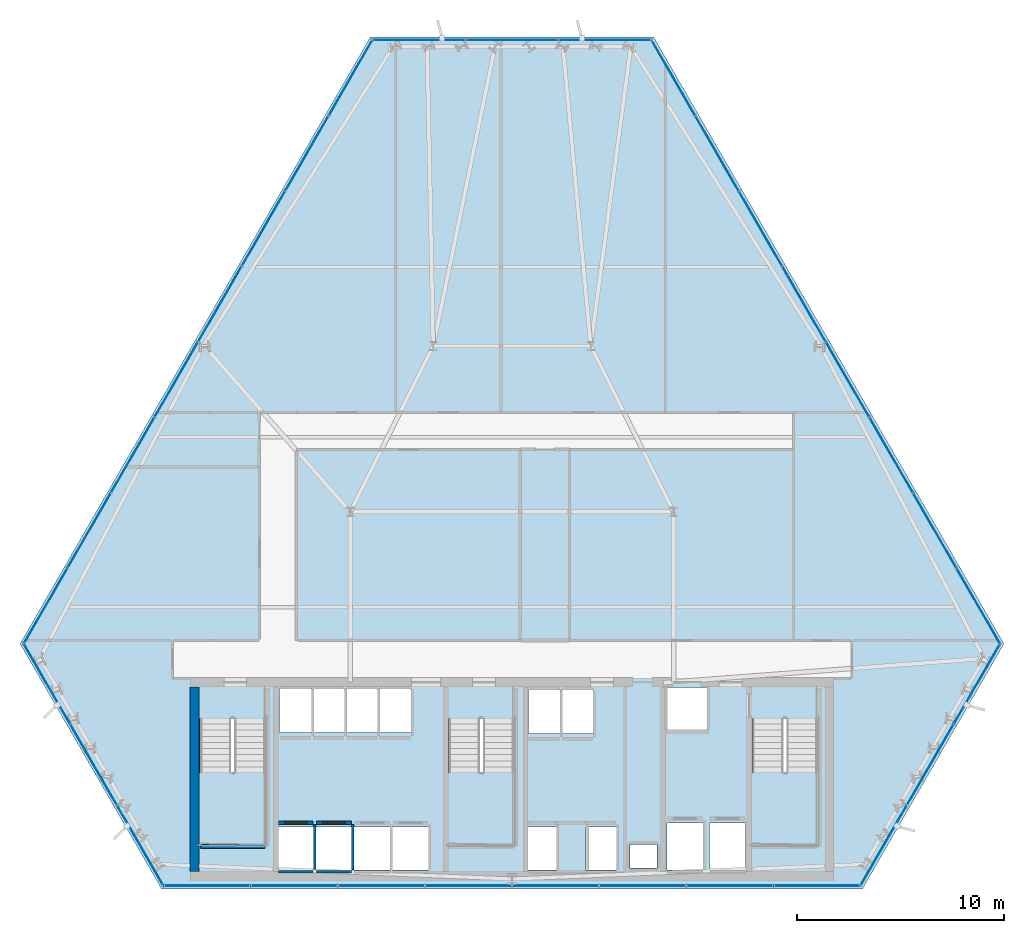
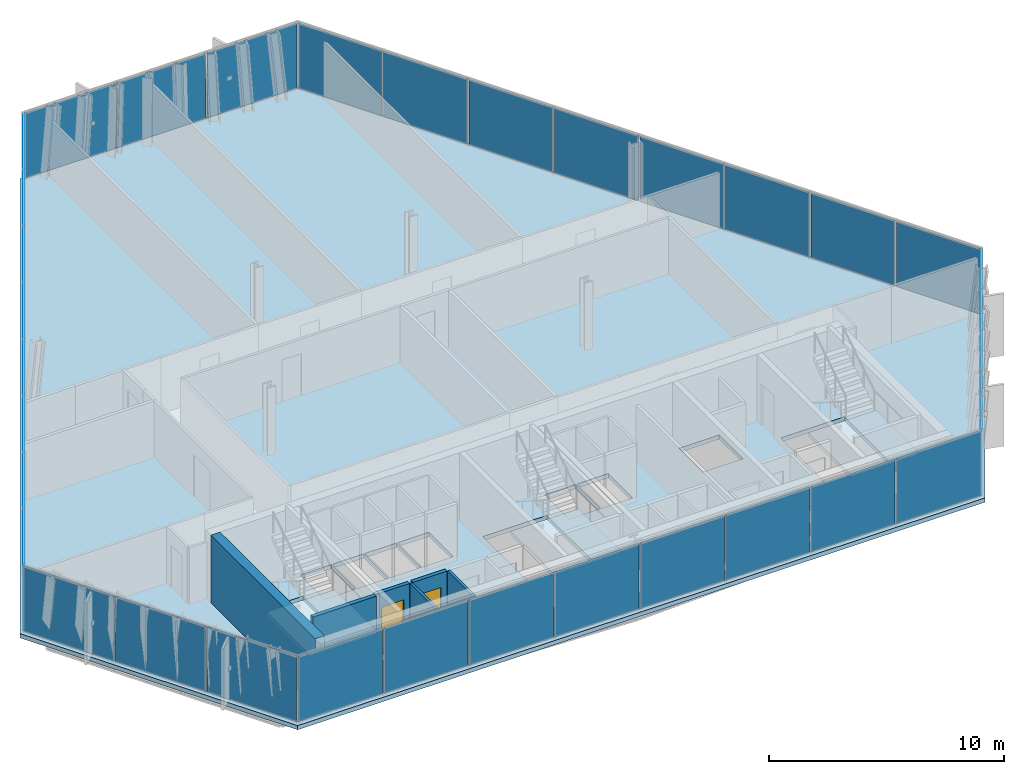
# One storey, part 24 of 31: 33 plates, 8 walls, 4 slabs, 2 doors, 2 openings, 9 elements without a shape of their own.
"""IFC4 building model written with IfcOpenShell, lengths in metres."""

from ifc_helpers import new_model, si_unit, direction, frame, frame_2d, origin, origin_2d, place, context, subcontext, project, spatial, polyline, rectangle, outline, extrude, material, layer, layer_set, type_object, element, fill, aggregate, save


model = new_model("IFC4")

# Units and contexts
model_context = context("Model", 3, precision=1e-05, world=origin(), true_north=direction((0.0, 1.0)))
body_context = subcontext(model_context, "Body", "Model", "MODEL_VIEW")
ifc_project = project(units=[si_unit("LENGTHUNIT", "METRE"), si_unit("AREAUNIT", "SQUARE_METRE"), si_unit("VOLUMEUNIT", "CUBIC_METRE"), si_unit("PLANEANGLEUNIT", "RADIAN"), si_unit("MASSUNIT", "GRAM", prefix="KILO")], contexts=[model_context])

# Site, building, storey
site_placement = place(None, origin())
site = spatial("IfcSite", under=ifc_project, at=site_placement, CompositionType="ELEMENT")
building_placement = place(site_placement, origin())
building = spatial("IfcBuilding", under=site, at=building_placement, Name="Ndaravel Arena Tower", CompositionType="ELEMENT")
storey_placement = place(building_placement, frame((0.0, 0.0, 108.199951171875)))
storey = spatial("IfcBuildingStorey", under=building, at=storey_placement, Name="L25", CompositionType="ELEMENT", Elevation=108.199951171875)

# Curtain wall, plate
ifc_material_1 = material(Name="Aluminium", Category="aluminium")
ifc_layer_1 = layer(ifc_material_1, 0.179931640625)
ifc_layer_set_1 = layer_set([ifc_layer_1], Name="Aluminium")
curtain_wall_type_1 = type_object("IfcCurtainWallType", Name="CW-SYS-01", PredefinedType="NOTDEFINED", material=ifc_layer_set_1)
curtain_wall_1_placement = place(storey_placement, origin())
curtain_wall_1 = element("IfcCurtainWall", 1, at=curtain_wall_1_placement, inside=storey, type_object=curtain_wall_type_1, Name="L25 Faceted Crystal Curtain Wall CW-L25-E02", PredefinedType="NOTDEFINED")
ifc_material_2 = material(Name="Glazing", Category="glass")
ifc_layer_2 = layer(ifc_material_2, 0.035888671875)
ifc_layer_set_2 = layer_set([ifc_layer_2], Name="Glazing")
plate_type_1 = type_object("IfcPlateType", Name="PLT-CW-OPVENT", PredefinedType="CURTAIN_PANEL", material=ifc_layer_set_2)
plate_1_placement = place(storey_placement, frame((62.1875, 10.996337890625, 0.06005859375), z_axis=(0.0, 0.0, 1.0), x_axis=(0.5, 0.866025403784, 0.0)))
plate_1 = element("IfcPlate", 2, at=plate_1_placement, type_object=plate_type_1, Name="CW-L25-E02 Operable Vent Sash Panel 02", PredefinedType="CURTAIN_PANEL", context=body_context, shape_type="SweptSolid", body=[
    extrude(rectangle(XDim=4.412841796875, YDim=0.035888671875, at=origin_2d()), origin(), (0.0, 0.0, 1.0), 3.39990234375),
])

curtain_wall_2_placement = place(storey_placement, origin())
curtain_wall_2 = element("IfcCurtainWall", 3, at=curtain_wall_2_placement, inside=storey, type_object=curtain_wall_type_1, Name="L25 Faceted Crystal Curtain Wall CW-L25-E04", PredefinedType="NOTDEFINED")
plate_2_placement = place(storey_placement, frame((42.0, 45.962646484375, 0.06005859375), z_axis=(0.0, 0.0, 1.0), x_axis=(-1.0, 0.0, 0.0)))
plate_2 = element("IfcPlate", 4, at=plate_2_placement, type_object=plate_type_1, Name="CW-L25-E04 Operable Vent Sash Panel 02", PredefinedType="CURTAIN_PANEL", context=body_context, shape_type="SweptSolid", body=[
    extrude(rectangle(XDim=4.412841796875, YDim=0.035888671875, at=origin_2d()), origin(), (0.0, 0.0, 1.0), 3.39990234375),
])

ifc_material_3 = material(Name="Aluminium", Category="aluminium")
ifc_layer_3 = layer(ifc_material_3, 0.179931640625)
ifc_layer_set_3 = layer_set([ifc_layer_3], Name="Aluminium")
curtain_wall_type_2 = type_object("IfcCurtainWallType", Name="CW-SYS-02", PredefinedType="NOTDEFINED", material=ifc_layer_set_3)
curtain_wall_3_placement = place(storey_placement, origin())
curtain_wall_3 = element("IfcCurtainWall", 5, at=curtain_wall_3_placement, inside=storey, type_object=curtain_wall_type_2, Name="L25 Faceted Crystal Curtain Wall CW-L25-E06", PredefinedType="NOTDEFINED")
plate_3_placement = place(storey_placement, frame((21.812255859375, 10.996337890625, 0.06005859375), z_axis=(0.0, 0.0, 1.0), x_axis=(0.5, -0.866025403784, 0.0)))
plate_3 = element("IfcPlate", 6, at=plate_3_placement, type_object=plate_type_1, Name="CW-L25-E06 Operable Vent Sash Panel 02", PredefinedType="CURTAIN_PANEL", context=body_context, shape_type="SweptSolid", body=[
    extrude(rectangle(XDim=4.412841796875, YDim=0.035888671875, at=origin_2d()), origin(), (0.0, 0.0, 1.0), 3.39990234375),
])

# Plate
ifc_material_4 = material(Name="Glazing", Category="glass")
ifc_layer_4 = layer(ifc_material_4, 0.031982421875)
ifc_layer_set_4 = layer_set([ifc_layer_4], Name="Glazing")
plate_type_2 = type_object("IfcPlateType", Name="PLT-GLZ-FRIT35", PredefinedType="CURTAIN_PANEL", material=ifc_layer_set_4)
plate_4_placement = place(storey_placement, frame((59.941162109375, 7.10546875, 0.06005859375), z_axis=(0.0, 0.0, 1.0), x_axis=(0.5, 0.866025403784, 0.0)))
plate_4 = element("IfcPlate", 7, at=plate_4_placement, type_object=plate_type_2, Name="CW-L25-E02 Vision Glass Panel 01", PredefinedType="CURTAIN_PANEL", context=body_context, shape_type="SweptSolid", body=[
    extrude(rectangle(XDim=4.412841796875, YDim=0.035888671875, at=origin_2d()), origin(), (0.0, 0.0, 1.0), 3.39990234375),
])

plate_5_placement = place(storey_placement, frame((64.43408203125, 14.88720703125, 0.06005859375), z_axis=(0.0, 0.0, 1.0), x_axis=(0.5, 0.866025403784, 0.0)))
plate_5 = element("IfcPlate", 8, at=plate_5_placement, type_object=plate_type_2, Name="CW-L25-E02 Vision Glass Panel 03", PredefinedType="CURTAIN_PANEL", context=body_context, shape_type="SweptSolid", body=[
    extrude(rectangle(XDim=4.412841796875, YDim=0.035888671875, at=origin_2d()), origin(), (0.0, 0.0, 1.0), 3.39990234375),
])

aggregate(curtain_wall_1, [plate_4, plate_1, plate_5])

plate_6_placement = place(storey_placement, frame((46.492919921875, 45.962646484375, 0.06005859375), z_axis=(0.0, 0.0, 1.0), x_axis=(-1.0, 0.0, 0.0)))
plate_6 = element("IfcPlate", 9, at=plate_6_placement, type_object=plate_type_2, Name="CW-L25-E04 Vision Glass Panel 01", PredefinedType="CURTAIN_PANEL", context=body_context, shape_type="SweptSolid", body=[
    extrude(rectangle(XDim=4.412841796875, YDim=0.035888671875, at=origin_2d()), origin(), (0.0, 0.0, 1.0), 3.39990234375),
])

plate_7_placement = place(storey_placement, frame((37.507080078125, 45.962646484375, 0.06005859375), z_axis=(0.0, 0.0, 1.0), x_axis=(-1.0, 0.0, 0.0)))
plate_7 = element("IfcPlate", 10, at=plate_7_placement, type_object=plate_type_2, Name="CW-L25-E04 Vision Glass Panel 03", PredefinedType="CURTAIN_PANEL", context=body_context, shape_type="SweptSolid", body=[
    extrude(rectangle(XDim=4.412841796875, YDim=0.035888671875, at=origin_2d()), origin(), (0.0, 0.0, 1.0), 3.39990234375),
])

aggregate(curtain_wall_2, [plate_6, plate_2, plate_7])

ifc_material_5 = material(Name="Glazing", Category="glass")
ifc_layer_5 = layer(ifc_material_5, 0.035888671875)
ifc_layer_set_5 = layer_set([ifc_layer_5], Name="Glazing")
plate_type_3 = type_object("IfcPlateType", Name="PLT-GLZ-FRIT55", PredefinedType="CURTAIN_PANEL", material=ifc_layer_set_5)
plate_8_placement = place(storey_placement, frame((19.56591796875, 14.88720703125, 0.06005859375), z_axis=(0.0, 0.0, 1.0), x_axis=(0.5, -0.866025403784, 0.0)))
plate_8 = element("IfcPlate", 11, at=plate_8_placement, type_object=plate_type_3, Name="CW-L25-E06 Vision Glass Panel 01", PredefinedType="CURTAIN_PANEL", context=body_context, shape_type="SweptSolid", body=[
    extrude(rectangle(XDim=4.412841796875, YDim=0.035888671875, at=origin_2d()), origin(), (0.0, 0.0, 1.0), 3.39990234375),
])

plate_9_placement = place(storey_placement, frame((24.058837890625, 7.10546875, 0.06005859375), z_axis=(0.0, 0.0, 1.0), x_axis=(0.5, -0.866025403784, 0.0)))
plate_9 = element("IfcPlate", 12, at=plate_9_placement, type_object=plate_type_3, Name="CW-L25-E06 Vision Glass Panel 03", PredefinedType="CURTAIN_PANEL", context=body_context, shape_type="SweptSolid", body=[
    extrude(rectangle(XDim=4.412841796875, YDim=0.035888671875, at=origin_2d()), origin(), (0.0, 0.0, 1.0), 3.39990234375),
])

aggregate(curtain_wall_3, [plate_8, plate_3, plate_9])

# Curtain wall, plates
ifc_material_6 = material(Name="Aluminium", Category="aluminium")
ifc_layer_6 = layer(ifc_material_6, 0.179931640625)
ifc_layer_set_6 = layer_set([ifc_layer_6], Name="Aluminium")
curtain_wall_type_3 = type_object("IfcCurtainWallType", Name="CW-SYS-03", PredefinedType="NOTDEFINED", material=ifc_layer_set_6)
curtain_wall_4_placement = place(storey_placement, origin())
curtain_wall_4 = element("IfcCurtainWall", 13, at=curtain_wall_4_placement, inside=storey, type_object=curtain_wall_type_3, Name="L25 Faceted Crystal Curtain Wall CW-L25-E01", PredefinedType="NOTDEFINED")
ifc_material_7 = material(Name="Glazing", Category="glass")
ifc_layer_7 = layer(ifc_material_7, 0.0400390625)
ifc_layer_set_7 = layer_set([ifc_layer_7], Name="Glazing")
plate_type_4 = type_object("IfcPlateType", Name="PLT-GLZ-LOWIRON", PredefinedType="CURTAIN_PANEL", material=ifc_layer_set_7)
plate_10_placement = place(storey_placement, frame((27.2841796875, 5.159912109375, 0.06005859375), z_axis=(0.0, 0.0, 1.0), x_axis=(1.0, 0.0, 0.0)))
plate_10 = element("IfcPlate", 14, at=plate_10_placement, type_object=plate_type_4, Name="CW-L25-E01 Vision Glass Panel 01", PredefinedType="CURTAIN_PANEL", context=body_context, shape_type="SweptSolid", body=[
    extrude(rectangle(XDim=4.12451171875, YDim=0.035888671875, at=origin_2d()), origin(), (0.0, 0.0, 1.0), 3.39990234375),
])
plate_11_placement = place(storey_placement, frame((31.48876953125, 5.159912109375, 0.06005859375), z_axis=(0.0, 0.0, 1.0), x_axis=(1.0, 0.0, 0.0)))
plate_11 = element("IfcPlate", 15, at=plate_11_placement, type_object=plate_type_4, Name="CW-L25-E01 Vision Glass Panel 02", PredefinedType="CURTAIN_PANEL", context=body_context, shape_type="SweptSolid", body=[
    extrude(rectangle(XDim=4.12451171875, YDim=0.035888671875, at=origin_2d()), origin(), (0.0, 0.0, 1.0), 3.39990234375),
])
plate_12_placement = place(storey_placement, frame((35.693115234375, 5.159912109375, 0.06005859375), z_axis=(0.0, 0.0, 1.0), x_axis=(1.0, 0.0, 0.0)))
plate_12 = element("IfcPlate", 16, at=plate_12_placement, type_object=plate_type_4, Name="CW-L25-E01 Vision Glass Panel 03", PredefinedType="CURTAIN_PANEL", context=body_context, shape_type="SweptSolid", body=[
    extrude(rectangle(XDim=4.12451171875, YDim=0.035888671875, at=origin_2d()), origin(), (0.0, 0.0, 1.0), 3.39990234375),
])
plate_13_placement = place(storey_placement, frame((39.897705078125, 5.159912109375, 0.06005859375), z_axis=(0.0, 0.0, 1.0), x_axis=(1.0, 0.0, 0.0)))
plate_13 = element("IfcPlate", 17, at=plate_13_placement, type_object=plate_type_4, Name="CW-L25-E01 Vision Glass Panel 04", PredefinedType="CURTAIN_PANEL", context=body_context, shape_type="SweptSolid", body=[
    extrude(rectangle(XDim=4.12451171875, YDim=0.035888671875, at=origin_2d()), origin(), (0.0, 0.0, 1.0), 3.39990234375),
])
plate_14_placement = place(storey_placement, frame((44.102294921875, 5.159912109375, 0.06005859375), z_axis=(0.0, 0.0, 1.0), x_axis=(1.0, 0.0, 0.0)))
plate_14 = element("IfcPlate", 18, at=plate_14_placement, type_object=plate_type_4, Name="CW-L25-E01 Vision Glass Panel 05", PredefinedType="CURTAIN_PANEL", context=body_context, shape_type="SweptSolid", body=[
    extrude(rectangle(XDim=4.12451171875, YDim=0.035888671875, at=origin_2d()), origin(), (0.0, 0.0, 1.0), 3.39990234375),
])
plate_15_placement = place(storey_placement, frame((48.306640625, 5.159912109375, 0.06005859375), z_axis=(0.0, 0.0, 1.0), x_axis=(1.0, 0.0, 0.0)))
plate_15 = element("IfcPlate", 19, at=plate_15_placement, type_object=plate_type_4, Name="CW-L25-E01 Vision Glass Panel 06", PredefinedType="CURTAIN_PANEL", context=body_context, shape_type="SweptSolid", body=[
    extrude(rectangle(XDim=4.12451171875, YDim=0.035888671875, at=origin_2d()), origin(), (0.0, 0.0, 1.0), 3.39990234375),
])
plate_16_placement = place(storey_placement, frame((52.51123046875, 5.159912109375, 0.06005859375), z_axis=(0.0, 0.0, 1.0), x_axis=(1.0, 0.0, 0.0)))
plate_16 = element("IfcPlate", 20, at=plate_16_placement, type_object=plate_type_4, Name="CW-L25-E01 Vision Glass Panel 07", PredefinedType="CURTAIN_PANEL", context=body_context, shape_type="SweptSolid", body=[
    extrude(rectangle(XDim=4.12451171875, YDim=0.035888671875, at=origin_2d()), origin(), (0.0, 0.0, 1.0), 3.39990234375),
])
plate_17_placement = place(storey_placement, frame((56.7158203125, 5.159912109375, 0.06005859375), z_axis=(0.0, 0.0, 1.0), x_axis=(1.0, 0.0, 0.0)))
plate_17 = element("IfcPlate", 21, at=plate_17_placement, type_object=plate_type_4, Name="CW-L25-E01 Vision Glass Panel 08", PredefinedType="CURTAIN_PANEL", context=body_context, shape_type="SweptSolid", body=[
    extrude(rectangle(XDim=4.12451171875, YDim=0.035888671875, at=origin_2d()), origin(), (0.0, 0.0, 1.0), 3.39990234375),
])
aggregate(curtain_wall_4, [plate_10, plate_11, plate_12, plate_13, plate_14, plate_15, plate_16, plate_17])

curtain_wall_5_placement = place(storey_placement, origin())
curtain_wall_5 = element("IfcCurtainWall", 22, at=curtain_wall_5_placement, inside=storey, type_object=curtain_wall_type_3, Name="L25 Faceted Crystal Curtain Wall CW-L25-E03", PredefinedType="NOTDEFINED")
plate_18_placement = place(storey_placement, frame((64.506103515625, 18.6533203125, 0.06005859375), z_axis=(0.0, 0.0, 1.0), x_axis=(-0.5, 0.866025403784, 0.0)))
plate_18 = element("IfcPlate", 23, at=plate_18_placement, type_object=plate_type_4, Name="CW-L25-E03 Vision Glass Panel 01", PredefinedType="CURTAIN_PANEL", context=body_context, shape_type="SweptSolid", body=[
    extrude(rectangle(XDim=4.12451171875, YDim=0.035888671875, at=origin_2d()), origin(), (0.0, 0.0, 1.0), 3.39990234375),
])
plate_19_placement = place(storey_placement, frame((62.40380859375, 22.294677734375, 0.06005859375), z_axis=(0.0, 0.0, 1.0), x_axis=(-0.5, 0.866025403784, 0.0)))
plate_19 = element("IfcPlate", 24, at=plate_19_placement, type_object=plate_type_4, Name="CW-L25-E03 Vision Glass Panel 02", PredefinedType="CURTAIN_PANEL", context=body_context, shape_type="SweptSolid", body=[
    extrude(rectangle(XDim=4.12451171875, YDim=0.035888671875, at=origin_2d()), origin(), (0.0, 0.0, 1.0), 3.39990234375),
])
plate_20_placement = place(storey_placement, frame((60.3017578125, 25.935791015625, 0.06005859375), z_axis=(0.0, 0.0, 1.0), x_axis=(-0.5, 0.866025403784, 0.0)))
plate_20 = element("IfcPlate", 25, at=plate_20_placement, type_object=plate_type_4, Name="CW-L25-E03 Vision Glass Panel 03", PredefinedType="CURTAIN_PANEL", context=body_context, shape_type="SweptSolid", body=[
    extrude(rectangle(XDim=4.12451171875, YDim=0.035888671875, at=origin_2d()), origin(), (0.0, 0.0, 1.0), 3.39990234375),
])
plate_21_placement = place(storey_placement, frame((58.199462890625, 29.5771484375, 0.06005859375), z_axis=(0.0, 0.0, 1.0), x_axis=(-0.5, 0.866025403784, 0.0)))
plate_21 = element("IfcPlate", 26, at=plate_21_placement, type_object=plate_type_4, Name="CW-L25-E03 Vision Glass Panel 04", PredefinedType="CURTAIN_PANEL", context=body_context, shape_type="SweptSolid", body=[
    extrude(rectangle(XDim=4.12451171875, YDim=0.035888671875, at=origin_2d()), origin(), (0.0, 0.0, 1.0), 3.39990234375),
])
plate_22_placement = place(storey_placement, frame((56.09716796875, 33.21826171875, 0.06005859375), z_axis=(0.0, 0.0, 1.0), x_axis=(-0.5, 0.866025403784, 0.0)))
plate_22 = element("IfcPlate", 27, at=plate_22_placement, type_object=plate_type_4, Name="CW-L25-E03 Vision Glass Panel 05", PredefinedType="CURTAIN_PANEL", context=body_context, shape_type="SweptSolid", body=[
    extrude(rectangle(XDim=4.12451171875, YDim=0.035888671875, at=origin_2d()), origin(), (0.0, 0.0, 1.0), 3.39990234375),
])
plate_23_placement = place(storey_placement, frame((53.994873046875, 36.859619140625, 0.06005859375), z_axis=(0.0, 0.0, 1.0), x_axis=(-0.5, 0.866025403784, 0.0)))
plate_23 = element("IfcPlate", 28, at=plate_23_placement, type_object=plate_type_4, Name="CW-L25-E03 Vision Glass Panel 06", PredefinedType="CURTAIN_PANEL", context=body_context, shape_type="SweptSolid", body=[
    extrude(rectangle(XDim=4.12451171875, YDim=0.035888671875, at=origin_2d()), origin(), (0.0, 0.0, 1.0), 3.39990234375),
])
plate_24_placement = place(storey_placement, frame((51.892578125, 40.500732421875, 0.06005859375), z_axis=(0.0, 0.0, 1.0), x_axis=(-0.5, 0.866025403784, 0.0)))
plate_24 = element("IfcPlate", 29, at=plate_24_placement, type_object=plate_type_4, Name="CW-L25-E03 Vision Glass Panel 07", PredefinedType="CURTAIN_PANEL", context=body_context, shape_type="SweptSolid", body=[
    extrude(rectangle(XDim=4.12451171875, YDim=0.035888671875, at=origin_2d()), origin(), (0.0, 0.0, 1.0), 3.39990234375),
])
plate_25_placement = place(storey_placement, frame((49.790283203125, 44.14208984375, 0.06005859375), z_axis=(0.0, 0.0, 1.0), x_axis=(-0.5, 0.866025403784, 0.0)))
plate_25 = element("IfcPlate", 30, at=plate_25_placement, type_object=plate_type_4, Name="CW-L25-E03 Vision Glass Panel 08", PredefinedType="CURTAIN_PANEL", context=body_context, shape_type="SweptSolid", body=[
    extrude(rectangle(XDim=4.12451171875, YDim=0.035888671875, at=origin_2d()), origin(), (0.0, 0.0, 1.0), 3.39990234375),
])
aggregate(curtain_wall_5, [plate_18, plate_19, plate_20, plate_21, plate_22, plate_23, plate_24, plate_25])

curtain_wall_6_placement = place(storey_placement, origin())
curtain_wall_6 = element("IfcCurtainWall", 31, at=curtain_wall_6_placement, inside=storey, type_object=curtain_wall_type_3, Name="L25 Faceted Crystal Curtain Wall CW-L25-E05", PredefinedType="NOTDEFINED")
plate_26_placement = place(storey_placement, frame((34.209716796875, 44.14208984375, 0.06005859375), z_axis=(0.0, 0.0, 1.0), x_axis=(-0.5, -0.866025403784, 0.0)))
plate_26 = element("IfcPlate", 32, at=plate_26_placement, type_object=plate_type_4, Name="CW-L25-E05 Vision Glass Panel 01", PredefinedType="CURTAIN_PANEL", context=body_context, shape_type="SweptSolid", body=[
    extrude(rectangle(XDim=4.12451171875, YDim=0.035888671875, at=origin_2d()), origin(), (0.0, 0.0, 1.0), 3.39990234375),
])
plate_27_placement = place(storey_placement, frame((32.107421875, 40.500732421875, 0.06005859375), z_axis=(0.0, 0.0, 1.0), x_axis=(-0.5, -0.866025403784, 0.0)))
plate_27 = element("IfcPlate", 33, at=plate_27_placement, type_object=plate_type_4, Name="CW-L25-E05 Vision Glass Panel 02", PredefinedType="CURTAIN_PANEL", context=body_context, shape_type="SweptSolid", body=[
    extrude(rectangle(XDim=4.12451171875, YDim=0.035888671875, at=origin_2d()), origin(), (0.0, 0.0, 1.0), 3.39990234375),
])
plate_28_placement = place(storey_placement, frame((30.005126953125, 36.859619140625, 0.06005859375), z_axis=(0.0, 0.0, 1.0), x_axis=(-0.5, -0.866025403784, 0.0)))
plate_28 = element("IfcPlate", 34, at=plate_28_placement, type_object=plate_type_4, Name="CW-L25-E05 Vision Glass Panel 03", PredefinedType="CURTAIN_PANEL", context=body_context, shape_type="SweptSolid", body=[
    extrude(rectangle(XDim=4.12451171875, YDim=0.035888671875, at=origin_2d()), origin(), (0.0, 0.0, 1.0), 3.39990234375),
])
plate_29_placement = place(storey_placement, frame((27.90283203125, 33.21826171875, 0.06005859375), z_axis=(0.0, 0.0, 1.0), x_axis=(-0.5, -0.866025403784, 0.0)))
plate_29 = element("IfcPlate", 35, at=plate_29_placement, type_object=plate_type_4, Name="CW-L25-E05 Vision Glass Panel 04", PredefinedType="CURTAIN_PANEL", context=body_context, shape_type="SweptSolid", body=[
    extrude(rectangle(XDim=4.12451171875, YDim=0.035888671875, at=origin_2d()), origin(), (0.0, 0.0, 1.0), 3.39990234375),
])
plate_30_placement = place(storey_placement, frame((25.800537109375, 29.5771484375, 0.06005859375), z_axis=(0.0, 0.0, 1.0), x_axis=(-0.5, -0.866025403784, 0.0)))
plate_30 = element("IfcPlate", 36, at=plate_30_placement, type_object=plate_type_4, Name="CW-L25-E05 Vision Glass Panel 05", PredefinedType="CURTAIN_PANEL", context=body_context, shape_type="SweptSolid", body=[
    extrude(rectangle(XDim=4.12451171875, YDim=0.035888671875, at=origin_2d()), origin(), (0.0, 0.0, 1.0), 3.39990234375),
])
plate_31_placement = place(storey_placement, frame((23.6982421875, 25.935791015625, 0.06005859375), z_axis=(0.0, 0.0, 1.0), x_axis=(-0.5, -0.866025403784, 0.0)))
plate_31 = element("IfcPlate", 37, at=plate_31_placement, type_object=plate_type_4, Name="CW-L25-E05 Vision Glass Panel 06", PredefinedType="CURTAIN_PANEL", context=body_context, shape_type="SweptSolid", body=[
    extrude(rectangle(XDim=4.12451171875, YDim=0.035888671875, at=origin_2d()), origin(), (0.0, 0.0, 1.0), 3.39990234375),
])
plate_32_placement = place(storey_placement, frame((21.59619140625, 22.294677734375, 0.06005859375), z_axis=(0.0, 0.0, 1.0), x_axis=(-0.5, -0.866025403784, 0.0)))
plate_32 = element("IfcPlate", 38, at=plate_32_placement, type_object=plate_type_4, Name="CW-L25-E05 Vision Glass Panel 07", PredefinedType="CURTAIN_PANEL", context=body_context, shape_type="SweptSolid", body=[
    extrude(rectangle(XDim=4.12451171875, YDim=0.035888671875, at=origin_2d()), origin(), (0.0, 0.0, 1.0), 3.39990234375),
])
plate_33_placement = place(storey_placement, frame((19.493896484375, 18.6533203125, 0.06005859375), z_axis=(0.0, 0.0, 1.0), x_axis=(-0.5, -0.866025403784, 0.0)))
plate_33 = element("IfcPlate", 39, at=plate_33_placement, type_object=plate_type_4, Name="CW-L25-E05 Vision Glass Panel 08", PredefinedType="CURTAIN_PANEL", context=body_context, shape_type="SweptSolid", body=[
    extrude(rectangle(XDim=4.12451171875, YDim=0.035888671875, at=origin_2d()), origin(), (0.0, 0.0, 1.0), 3.39990234375),
])
aggregate(curtain_wall_6, [plate_26, plate_27, plate_28, plate_29, plate_30, plate_31, plate_32, plate_33])

# Stair, slab
ifc_material_8 = material(Name="Concrete C40/50", Category="concrete")
stair_type = type_object("IfcStairType", Name="STAIR-CORE-HT", PredefinedType="HALF_TURN_STAIR", material=ifc_material_8)
stair_1_placement = place(storey_placement, origin())
stair_1 = element("IfcStair", 40, at=stair_1_placement, inside=storey, type_object=stair_type, Name="L25 ST-1", PredefinedType="HALF_TURN_STAIR")
ifc_material_9 = material(Name="Concrete C40/50", Category="concrete")
ifc_layer_8 = layer(ifc_material_9, 0.199951171875)
ifc_layer_set_8 = layer_set([ifc_layer_8], Name="Concrete C40/50")
slab_type_1 = type_object("IfcSlabType", Name="SLAB-STAIR-LANDING", PredefinedType="LANDING", material=ifc_layer_set_8)
slab_1_placement = place(storey_placement, frame((0.0, 0.0, 1.699951171875)))
slab_1 = element("IfcSlab", 41, at=slab_1_placement, type_object=slab_type_1, Name="ST-1 landing 1", PredefinedType="LANDING", context=body_context, shape_type="SweptSolid", body=[
    extrude(outline(polyline([(26.81005859375, 10.6298828125), (26.81005859375, 7.070068359375), (30.169921875, 7.070068359375), (30.169921875, 10.6298828125), (26.81005859375, 10.6298828125)])), origin(), (0.0, 0.0, 1.0), 0.2001953125),
])
aggregate(stair_1, [slab_1])

stair_2_placement = place(storey_placement, origin())
stair_2 = element("IfcStair", 42, at=stair_2_placement, inside=storey, type_object=stair_type, Name="L25 ST-2", PredefinedType="HALF_TURN_STAIR")
slab_2_placement = place(storey_placement, frame((0.0, 0.0, 1.699951171875)))
slab_2 = element("IfcSlab", 43, at=slab_2_placement, type_object=slab_type_1, Name="ST-2 landing 1", PredefinedType="LANDING", context=body_context, shape_type="SweptSolid", body=[
    extrude(outline(polyline([(38.81005859375, 10.6298828125), (38.81005859375, 7.070068359375), (42.169921875, 7.070068359375), (42.169921875, 10.6298828125), (38.81005859375, 10.6298828125)])), origin(), (0.0, 0.0, 1.0), 0.2001953125),
])
aggregate(stair_2, [slab_2])

stair_3_placement = place(storey_placement, origin())
stair_3 = element("IfcStair", 44, at=stair_3_placement, inside=storey, type_object=stair_type, Name="L25 ST-3", PredefinedType="HALF_TURN_STAIR")
slab_3_placement = place(storey_placement, frame((0.0, 0.0, 1.699951171875)))
slab_3 = element("IfcSlab", 45, at=slab_3_placement, type_object=slab_type_1, Name="ST-3 landing 1", PredefinedType="LANDING", context=body_context, shape_type="SweptSolid", body=[
    extrude(outline(polyline([(53.4599609375, 10.6298828125), (53.4599609375, 7.070068359375), (56.820068359375, 7.070068359375), (56.820068359375, 10.6298828125), (53.4599609375, 10.6298828125)])), origin(), (0.0, 0.0, 1.0), 0.2001953125),
])
aggregate(stair_3, [slab_3])

# Slab
ifc_material_10 = material(Name="Concrete C40/50", Category="concrete")
ifc_layer_9 = layer(ifc_material_10, 0.219970703125)
ifc_layer_set_9 = layer_set([ifc_layer_9], Name="Concrete C40/50")
slab_type_2 = type_object("IfcSlabType", Name="SLAB-TWR-220", PredefinedType="FLOOR", material=ifc_layer_set_9)
slab_4_placement = place(storey_placement, frame((0.0, 0.0, -0.219970703125)))
element("IfcSlab", 46, at=slab_4_placement, inside=storey, type_object=slab_type_2, Name="L25 Structural Floor Slab", PredefinedType="FLOOR", context=body_context, shape_type="SweptSolid", body=[
    extrude(outline(polyline([(18.2578125, 16.832763671875), (25.089599609375, 5.0), (58.910400390625, 5.0), (65.7421875, 16.832763671875), (48.831787109375, 46.12255859375), (35.168212890625, 46.12255859375), (18.2578125, 16.832763671875)]), holes=[polyline([(26.949951171875, 13.215087890625), (26.949951171875, 7.14990234375), (30.090087890625, 7.14990234375), (30.090087890625, 13.215087890625), (26.949951171875, 13.215087890625)]), polyline([(38.949951171875, 13.215087890625), (38.949951171875, 7.14990234375), (42.090087890625, 7.14990234375), (42.090087890625, 13.215087890625), (38.949951171875, 13.215087890625)]), polyline([(53.60009765625, 13.215087890625), (53.60009765625, 7.14990234375), (56.739990234375, 7.14990234375), (56.739990234375, 13.215087890625), (53.60009765625, 13.215087890625)]), polyline([(30.68505859375, 5.909912109375), (32.4150390625, 5.909912109375), (32.4150390625, 7.989990234375), (30.68505859375, 7.989990234375), (30.68505859375, 5.909912109375)]), polyline([(32.534912109375, 5.909912109375), (34.264892578125, 5.909912109375), (34.264892578125, 7.989990234375), (32.534912109375, 7.989990234375), (32.534912109375, 5.909912109375)]), polyline([(34.385009765625, 5.909912109375), (36.114990234375, 5.909912109375), (36.114990234375, 7.989990234375), (34.385009765625, 7.989990234375), (34.385009765625, 5.909912109375)]), polyline([(36.235107421875, 5.909912109375), (37.965087890625, 5.909912109375), (37.965087890625, 7.989990234375), (36.235107421875, 7.989990234375), (36.235107421875, 5.909912109375)]), polyline([(30.784912109375, 12.56005859375), (32.31494140625, 12.56005859375), (32.31494140625, 14.639892578125), (30.784912109375, 14.639892578125), (30.784912109375, 12.56005859375)]), polyline([(32.385009765625, 12.56005859375), (33.9150390625, 12.56005859375), (33.9150390625, 14.639892578125), (32.385009765625, 14.639892578125), (32.385009765625, 12.56005859375)]), polyline([(33.985107421875, 12.56005859375), (35.514892578125, 12.56005859375), (35.514892578125, 14.639892578125), (33.985107421875, 14.639892578125), (33.985107421875, 12.56005859375)]), polyline([(35.5849609375, 12.56005859375), (37.114990234375, 12.56005859375), (37.114990234375, 14.639892578125), (35.5849609375, 14.639892578125), (35.5849609375, 12.56005859375)]), polyline([(42.659912109375, 5.909912109375), (44.139892578125, 5.909912109375), (44.139892578125, 7.989990234375), (42.659912109375, 7.989990234375), (42.659912109375, 5.909912109375)]), polyline([(45.56005859375, 5.909912109375), (47.0400390625, 5.909912109375), (47.0400390625, 7.989990234375), (45.56005859375, 7.989990234375), (45.56005859375, 5.909912109375)]), polyline([(42.784912109375, 12.510009765625), (44.31494140625, 12.510009765625), (44.31494140625, 14.590087890625), (42.784912109375, 14.590087890625), (42.784912109375, 12.510009765625)]), polyline([(44.385009765625, 12.510009765625), (45.9150390625, 12.510009765625), (45.9150390625, 14.590087890625), (44.385009765625, 14.590087890625), (44.385009765625, 12.510009765625)]), polyline([(49.485107421875, 5.909912109375), (51.215087890625, 5.909912109375), (51.215087890625, 8.18994140625), (49.485107421875, 8.18994140625), (49.485107421875, 5.909912109375)]), polyline([(51.534912109375, 5.909912109375), (53.264892578125, 5.909912109375), (53.264892578125, 8.18994140625), (51.534912109375, 8.18994140625), (51.534912109375, 5.909912109375)]), polyline([(49.4599609375, 12.68505859375), (51.43994140625, 12.68505859375), (51.43994140625, 14.715087890625), (49.4599609375, 14.715087890625), (49.4599609375, 12.68505859375)]), polyline([(47.699951171875, 6.0), (49.0, 6.0), (49.0, 7.139892578125), (47.699951171875, 7.139892578125), (47.699951171875, 6.0)])]), origin(), (0.0, 0.0, 1.0), 0.219970703125),
])

# Walls
ifc_material_11 = material(Name="Concrete C60/75", Category="concrete")
ifc_layer_10 = layer(ifc_material_11, 0.449951171875)
ifc_layer_set_10 = layer_set([ifc_layer_10], Name="Concrete C60/75")
wall_type_1 = type_object("IfcWallType", Name="WALL-CORE-450", PredefinedType="SOLIDWALL", material=ifc_layer_set_10)
wall_1_placement = place(storey_placement, frame((26.675048828125, 5.85009765625, 0.0), z_axis=(0.0, 0.0, 1.0), x_axis=(0.0, 1.0, 0.0)))
element("IfcWall", 47, at=wall_1_placement, inside=storey, type_object=wall_type_1, Name="L25 Core West Shear Wall", PredefinedType="SOLIDWALL", context=body_context, shape_type="SweptSolid", body=[
    extrude(rectangle(XDim=8.89990234375, YDim=0.449951171875, at=frame_2d((4.449951171875, 0.0))), origin(), (0.0, 0.0, 1.0), 3.52001953125),
])
ifc_material_12 = material(Name="Concrete C40/50", Category="concrete")
ifc_layer_11 = layer(ifc_material_12, 0.1201171875)
ifc_layer_set_11 = layer_set([ifc_layer_11], Name="Concrete C40/50")
wall_type_2 = type_object("IfcWallType", Name="WALL-SHAFT-120", PredefinedType="SOLIDWALL", material=ifc_layer_set_11)
wall_2_placement = place(storey_placement, frame((30.72998046875, 5.840087890625, 0.0), z_axis=(0.0, 0.0, 1.0), x_axis=(1.0, 0.0, 0.0)))
element("IfcWall", 48, at=wall_2_placement, inside=storey, type_object=wall_type_2, Name="L25 PL-L1 Shaft Rear Wall", PredefinedType="SOLIDWALL", context=body_context, shape_type="SweptSolid", body=[
    extrude(rectangle(XDim=1.6650390625, YDim=0.1201171875, at=frame_2d((0.83251953125, 0.0))), origin(), (0.0, 0.0, 1.0), 2.950439453125),
])
wall_3_placement = place(storey_placement, frame((32.47509765625, 5.929931640625, 0.0), z_axis=(0.0, 0.0, 1.0), x_axis=(0.0, 1.0, 0.0)))
element("IfcWall", 49, at=wall_3_placement, inside=storey, type_object=wall_type_2, Name="L25 PL-L1 Shaft Side R Wall", PredefinedType="SOLIDWALL", context=body_context, shape_type="SweptSolid", body=[
    extrude(rectangle(XDim=2.18017578125, YDim=0.1201171875, at=frame_2d((1.090087890625, 0.0))), origin(), (0.0, 0.0, 1.0), 2.950439453125),
])
wall_4_placement = place(storey_placement, frame((32.554931640625, 5.840087890625, 0.0), z_axis=(0.0, 0.0, 1.0), x_axis=(1.0, 0.0, 0.0)))
element("IfcWall", 50, at=wall_4_placement, inside=storey, type_object=wall_type_2, Name="L25 PL-L2 Shaft Rear Wall", PredefinedType="SOLIDWALL", context=body_context, shape_type="SweptSolid", body=[
    extrude(rectangle(XDim=1.690185546875, YDim=0.1201171875, at=frame_2d((0.84521484375, 0.0))), origin(), (0.0, 0.0, 1.0), 2.950439453125),
])
wall_5_placement = place(storey_placement, frame((34.324951171875, 5.929931640625, 0.0), z_axis=(0.0, 0.0, 1.0), x_axis=(0.0, 1.0, 0.0)))
element("IfcWall", 51, at=wall_5_placement, inside=storey, type_object=wall_type_2, Name="L25 PL-L2 Shaft Side R Wall", PredefinedType="SOLIDWALL", context=body_context, shape_type="SweptSolid", body=[
    extrude(rectangle(XDim=2.18017578125, YDim=0.1201171875, at=frame_2d((1.090087890625, 0.0))), origin(), (0.0, 0.0, 1.0), 2.950439453125),
])
ifc_material_13 = material(Name="Concrete C40/50", Category="concrete")
ifc_layer_12 = layer(ifc_material_13, 0.199951171875)
ifc_layer_set_12 = layer_set([ifc_layer_12], Name="Concrete C40/50")
wall_type_3 = type_object("IfcWallType", Name="WALL-SHAFT-200", PredefinedType="SOLIDWALL", material=ifc_layer_set_12)
wall_6_placement = place(storey_placement, frame((26.969970703125, 7.050048828125, 0.0), z_axis=(0.0, 0.0, 1.0), x_axis=(1.0, 0.0, 0.0)))
element("IfcWall", 52, at=wall_6_placement, inside=storey, type_object=wall_type_3, Name="L25 ST-1 Structural Shaft Wall Far", PredefinedType="SOLIDWALL", context=body_context, shape_type="SweptSolid", body=[
    extrude(rectangle(XDim=3.114990234375, YDim=0.199951171875, at=frame_2d((1.5576171875, 0.0))), origin(), (0.0, 0.0, 1.0), 3.800048828125),
])

# Wall, opening, door
wall_7_placement = place(storey_placement, frame((30.72998046875, 8.199951171875, 0.0), z_axis=(0.0, 0.0, 1.0), x_axis=(1.0, 0.0, 0.0)))
wall_7 = element("IfcWall", 53, at=wall_7_placement, inside=storey, type_object=wall_type_3, Name="L25 PL-L1 Shaft Landing Wall", PredefinedType="SOLIDWALL", context=body_context, shape_type="SweptSolid", body=[
    extrude(rectangle(XDim=1.6650390625, YDim=0.179931640625, at=frame_2d((0.83251953125, 0.0))), origin(), (0.0, 0.0, 1.0), 2.950439453125),
])
opening_1_placement = place(wall_7_placement, frame((0.282470703125, 0.0, 0.0)))
opening_1 = element("IfcOpeningElement", 54, at=opening_1_placement, cuts=wall_7, Name="Opening LD-01", PredefinedType="OPENING", context=body_context, shape_type="SweptSolid", body=[
    extrude(rectangle(XDim=1.10009765625, YDim=2.199951171875, at=frame_2d((0.550048828125, 1.10009765625))), frame((0.0, 0.08984375, 0.0), z_axis=(0.0, -1.0, 0.0), x_axis=(1.0, 0.0, 0.0)), (0.0, 0.0, 1.0), 0.179931640625),
])
ifc_material_14 = material(Name="Steel S355", Category="steel")
door_type = type_object("IfcDoorType", Name="DT-06-LIFT-1100", OperationType="SLIDING_TO_LEFT", PredefinedType="DOOR", material=ifc_material_14)
door_1_placement = place(opening_1_placement, origin())
door_1 = element("IfcDoor", 55, at=door_1_placement, inside=storey, type_object=door_type, Name="L25 Lift PL-L1 Sliding Landing Door", OperationType="SLIDING_TO_LEFT", OverallHeight=2.199951171875, OverallWidth=1.10009765625, PredefinedType="DOOR", context=body_context, shape_type="SweptSolid", body=[
    extrude(rectangle(XDim=1.10009765625, YDim=2.199951171875, at=frame_2d((0.550048828125, 1.10009765625))), frame((0.0, 0.02490234375, 0.0), z_axis=(0.0, -1.0, 0.0), x_axis=(1.0, 0.0, 0.0)), (0.0, 0.0, 1.0), 0.050048828125),
])
fill(opening_1, door_1)

wall_8_placement = place(storey_placement, frame((32.554931640625, 8.199951171875, 0.0), z_axis=(0.0, 0.0, 1.0), x_axis=(1.0, 0.0, 0.0)))
wall_8 = element("IfcWall", 56, at=wall_8_placement, inside=storey, type_object=wall_type_3, Name="L25 PL-L2 Shaft Landing Wall", PredefinedType="SOLIDWALL", context=body_context, shape_type="SweptSolid", body=[
    extrude(rectangle(XDim=1.690185546875, YDim=0.179931640625, at=frame_2d((0.84521484375, 0.0))), origin(), (0.0, 0.0, 1.0), 2.950439453125),
])
opening_2_placement = place(wall_8_placement, frame((0.294921875, 0.0, 0.0)))
opening_2 = element("IfcOpeningElement", 57, at=opening_2_placement, cuts=wall_8, Name="Opening LD-01", PredefinedType="OPENING", context=body_context, shape_type="SweptSolid", body=[
    extrude(rectangle(XDim=1.10009765625, YDim=2.199951171875, at=frame_2d((0.550048828125, 1.10009765625))), frame((0.0, 0.08984375, 0.0), z_axis=(0.0, -1.0, 0.0), x_axis=(1.0, 0.0, 0.0)), (0.0, 0.0, 1.0), 0.179931640625),
])
door_2_placement = place(opening_2_placement, origin())
door_2 = element("IfcDoor", 58, at=door_2_placement, inside=storey, type_object=door_type, Name="L25 Lift PL-L2 Sliding Landing Door", OperationType="SLIDING_TO_LEFT", OverallHeight=2.199951171875, OverallWidth=1.10009765625, PredefinedType="DOOR", context=body_context, shape_type="SweptSolid", body=[
    extrude(rectangle(XDim=1.10009765625, YDim=2.199951171875, at=frame_2d((0.550048828125, 1.10009765625))), frame((0.0, 0.02490234375, 0.0), z_axis=(0.0, -1.0, 0.0), x_axis=(1.0, 0.0, 0.0)), (0.0, 0.0, 1.0), 0.050048828125),
])
fill(opening_2, door_2)

save(model, "model.ifc")
